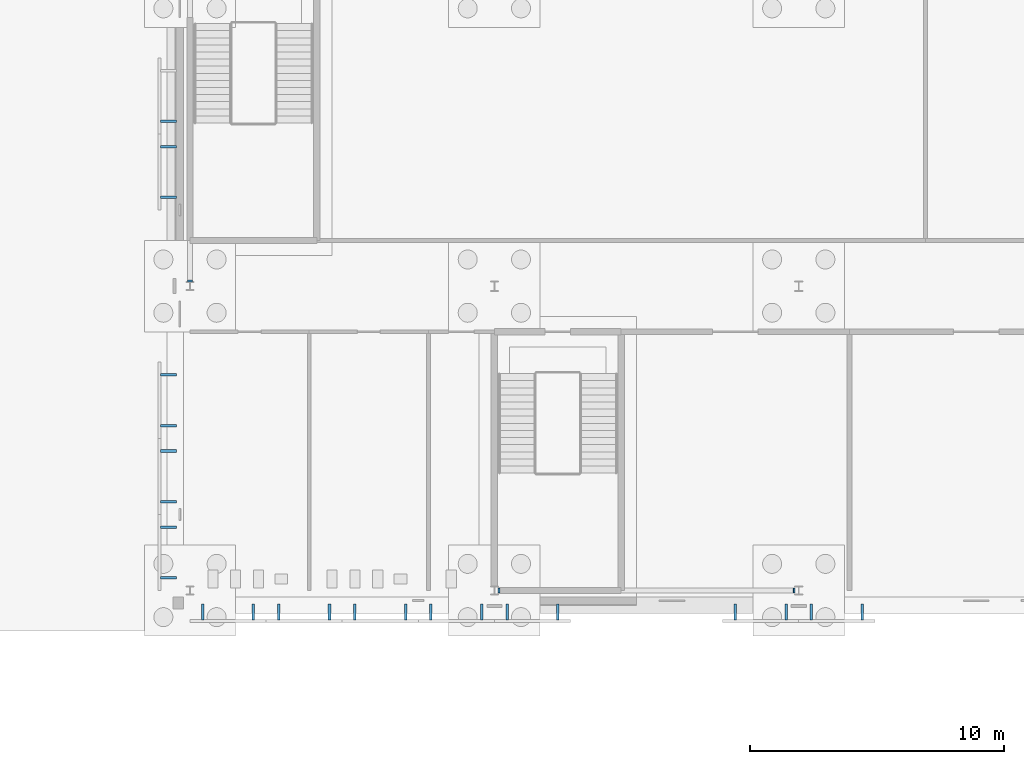
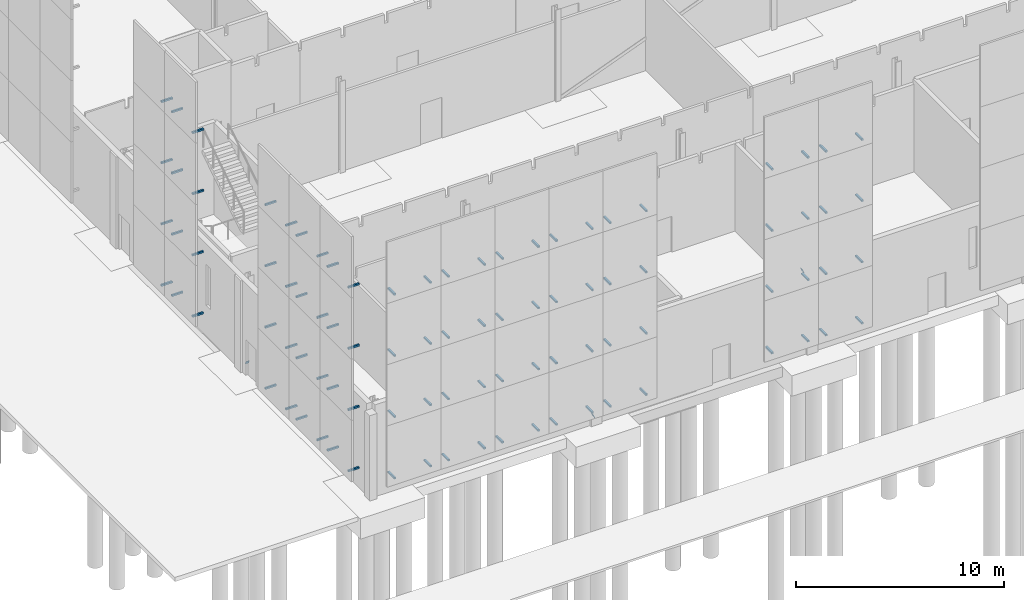
# One storey, part 97 of 132: 95 discrete accessories.
"""IFC4 building model written with IfcOpenShell, lengths in metres."""

from ifc_helpers import new_model, si_unit, direction, frame, origin, origin_2d, place, context, subcontext, project, spatial, rectangle, extrude, material, material_profile, profile_set, type_object, element, save


model = new_model("IFC4")

# Units and contexts
model_context = context("Model", 3, precision=1e-05, world=origin(), true_north=direction((0.0, 1.0)))
body_context = subcontext(model_context, "Body", "Model", "MODEL_VIEW")
ifc_project = project(units=[si_unit("LENGTHUNIT", "METRE"), si_unit("AREAUNIT", "SQUARE_METRE"), si_unit("VOLUMEUNIT", "CUBIC_METRE"), si_unit("PLANEANGLEUNIT", "RADIAN"), si_unit("MASSUNIT", "GRAM", prefix="KILO")], contexts=[model_context])

# Site, building, storey
site_placement = place(None, origin())
site = spatial("IfcSite", under=ifc_project, at=site_placement, CompositionType="ELEMENT")
building_placement = place(site_placement, origin())
building = spatial("IfcBuilding", under=site, at=building_placement, Name="Ravi Spectrum Wholesale Market", CompositionType="ELEMENT")
storey_placement = place(building_placement, origin())
storey = spatial("IfcBuildingStorey", under=building, at=storey_placement, Name="L00", CompositionType="ELEMENT", Elevation=0.0)

# Discrete accessories
ifc_material_1 = material(Name="Steel S355", Category="steel")
ifc_material_profile = material_profile(ifc_material_1, rectangle(XDim=0.199951171875, YDim=0.199951171875, at=origin_2d()))
ifc_profile_set = profile_set([ifc_material_profile], Name="Steel S355")
discrete_accessory_type_1 = type_object("IfcDiscreteAccessoryType", Name="End plate SHS 200x200x8", PredefinedType="BRACKET", material=ifc_profile_set)
for number, where, z_axis, x_axis, name in (
    (1, (210.185791015625, 18.0, 0.09326171875), (-0.937994498829, 0.0, -0.346650140872), (0.0, -1.0, 0.0), "End plate"),
    (2, (221.814208984375, 18.0, 4.556640625), (0.931242779706, 0.0, 0.364399348581), (0.0, 1.0, 0.0), "End plate"),
    (3, (198.0, 30.206298828125, 0.09326171875), (0.0, -0.931242779706, -0.364399348581), (1.0, 0.0, 0.0), "End plate"),
):
    element("IfcDiscreteAccessory", number, at=place(storey_placement, frame(where, z_axis=z_axis, x_axis=x_axis)), inside=storey, type_object=discrete_accessory_type_1, Name=name, PredefinedType="BRACKET", context=body_context, shape_type="SweptSolid", body=[
        extrude(rectangle(XDim=0.199951171875, YDim=0.199951171875, at=origin_2d()), origin(), (0.0, 0.0, 1.0), 0.011962890625),
    ])
ifc_material_2 = material(Name="Steel S355", Category="steel")
discrete_accessory_type_2 = type_object("IfcDiscreteAccessoryType", Name="Steel angle bracket 100 x 115", PredefinedType="BRACKET", material=ifc_material_2)
for number, where, z_axis, x_axis, name in (
    (4, (198.5, 17.14990234375, 1.14990234375), (0.0, 0.0, 1.0), (1.0, 0.0, 0.0), "Screen bracket"),
    (5, (200.5, 17.14990234375, 1.14990234375), (0.0, 0.0, 1.0), (1.0, 0.0, 0.0), "Screen bracket"),
    (6, (198.5, 17.14990234375, 4.75), (0.0, 0.0, 1.0), (1.0, 0.0, 0.0), "Screen bracket"),
    (7, (200.5, 17.14990234375, 4.75), (0.0, 0.0, 1.0), (1.0, 0.0, 0.0), "Screen bracket"),
    (8, (198.5, 17.14990234375, 8.349853515625), (0.0, 0.0, 1.0), (1.0, 0.0, 0.0), "Screen bracket"),
    (9, (200.5, 17.14990234375, 8.349853515625), (0.0, 0.0, 1.0), (1.0, 0.0, 0.0), "Screen bracket"),
    (10, (198.5, 17.14990234375, 11.949951171875), (0.0, 0.0, 1.0), (1.0, 0.0, 0.0), "Screen bracket"),
    (11, (200.5, 17.14990234375, 11.949951171875), (0.0, 0.0, 1.0), (1.0, 0.0, 0.0), "Screen bracket"),
    (12, (201.5, 17.14990234375, 1.14990234375), (0.0, 0.0, 1.0), (1.0, 0.0, 0.0), "Screen bracket"),
    (13, (203.5, 17.14990234375, 1.14990234375), (0.0, 0.0, 1.0), (1.0, 0.0, 0.0), "Screen bracket"),
    (14, (201.5, 17.14990234375, 4.75), (0.0, 0.0, 1.0), (1.0, 0.0, 0.0), "Screen bracket"),
    (15, (203.5, 17.14990234375, 4.75), (0.0, 0.0, 1.0), (1.0, 0.0, 0.0), "Screen bracket"),
    (16, (201.5, 17.14990234375, 8.349853515625), (0.0, 0.0, 1.0), (1.0, 0.0, 0.0), "Screen bracket"),
    (17, (203.5, 17.14990234375, 8.349853515625), (0.0, 0.0, 1.0), (1.0, 0.0, 0.0), "Screen bracket"),
    (18, (201.5, 17.14990234375, 11.949951171875), (0.0, 0.0, 1.0), (1.0, 0.0, 0.0), "Screen bracket"),
    (19, (203.5, 17.14990234375, 11.949951171875), (0.0, 0.0, 1.0), (1.0, 0.0, 0.0), "Screen bracket"),
    (20, (204.5, 17.14990234375, 1.14990234375), (0.0, 0.0, 1.0), (1.0, 0.0, 0.0), "Screen bracket"),
    (21, (206.5, 17.14990234375, 1.14990234375), (0.0, 0.0, 1.0), (1.0, 0.0, 0.0), "Screen bracket"),
    (22, (204.5, 17.14990234375, 4.75), (0.0, 0.0, 1.0), (1.0, 0.0, 0.0), "Screen bracket"),
    (23, (206.5, 17.14990234375, 4.75), (0.0, 0.0, 1.0), (1.0, 0.0, 0.0), "Screen bracket"),
    (24, (204.5, 17.14990234375, 8.349853515625), (0.0, 0.0, 1.0), (1.0, 0.0, 0.0), "Screen bracket"),
    (25, (206.5, 17.14990234375, 8.349853515625), (0.0, 0.0, 1.0), (1.0, 0.0, 0.0), "Screen bracket"),
    (26, (204.5, 17.14990234375, 11.949951171875), (0.0, 0.0, 1.0), (1.0, 0.0, 0.0), "Screen bracket"),
    (27, (206.5, 17.14990234375, 11.949951171875), (0.0, 0.0, 1.0), (1.0, 0.0, 0.0), "Screen bracket"),
    (28, (207.5, 17.14990234375, 1.14990234375), (0.0, 0.0, 1.0), (1.0, 0.0, 0.0), "Screen bracket"),
    (29, (209.5, 17.14990234375, 1.14990234375), (0.0, 0.0, 1.0), (1.0, 0.0, 0.0), "Screen bracket"),
    (30, (207.5, 17.14990234375, 4.75), (0.0, 0.0, 1.0), (1.0, 0.0, 0.0), "Screen bracket"),
    (31, (209.5, 17.14990234375, 4.75), (0.0, 0.0, 1.0), (1.0, 0.0, 0.0), "Screen bracket"),
    (32, (207.5, 17.14990234375, 8.349853515625), (0.0, 0.0, 1.0), (1.0, 0.0, 0.0), "Screen bracket"),
    (33, (209.5, 17.14990234375, 8.349853515625), (0.0, 0.0, 1.0), (1.0, 0.0, 0.0), "Screen bracket"),
    (34, (207.5, 17.14990234375, 11.949951171875), (0.0, 0.0, 1.0), (1.0, 0.0, 0.0), "Screen bracket"),
    (35, (209.5, 17.14990234375, 11.949951171875), (0.0, 0.0, 1.0), (1.0, 0.0, 0.0), "Screen bracket"),
    (36, (210.5, 17.14990234375, 1.14990234375), (0.0, 0.0, 1.0), (1.0, 0.0, 0.0), "Screen bracket"),
    (37, (212.5, 17.14990234375, 1.14990234375), (0.0, 0.0, 1.0), (1.0, 0.0, 0.0), "Screen bracket"),
    (38, (210.5, 17.14990234375, 4.75), (0.0, 0.0, 1.0), (1.0, 0.0, 0.0), "Screen bracket"),
    (39, (212.5, 17.14990234375, 4.75), (0.0, 0.0, 1.0), (1.0, 0.0, 0.0), "Screen bracket"),
    (40, (210.5, 17.14990234375, 8.349853515625), (0.0, 0.0, 1.0), (1.0, 0.0, 0.0), "Screen bracket"),
    (41, (212.5, 17.14990234375, 8.349853515625), (0.0, 0.0, 1.0), (1.0, 0.0, 0.0), "Screen bracket"),
    (42, (210.5, 17.14990234375, 11.949951171875), (0.0, 0.0, 1.0), (1.0, 0.0, 0.0), "Screen bracket"),
    (43, (212.5, 17.14990234375, 11.949951171875), (0.0, 0.0, 1.0), (1.0, 0.0, 0.0), "Screen bracket"),
    (44, (219.5, 17.14990234375, 1.14990234375), (0.0, 0.0, 1.0), (1.0, 0.0, 0.0), "Screen bracket"),
    (45, (221.5, 17.14990234375, 1.14990234375), (0.0, 0.0, 1.0), (1.0, 0.0, 0.0), "Screen bracket"),
    (46, (219.5, 17.14990234375, 4.75), (0.0, 0.0, 1.0), (1.0, 0.0, 0.0), "Screen bracket"),
    (47, (221.5, 17.14990234375, 4.75), (0.0, 0.0, 1.0), (1.0, 0.0, 0.0), "Screen bracket"),
    (48, (219.5, 17.14990234375, 8.349853515625), (0.0, 0.0, 1.0), (1.0, 0.0, 0.0), "Screen bracket"),
    (49, (221.5, 17.14990234375, 8.349853515625), (0.0, 0.0, 1.0), (1.0, 0.0, 0.0), "Screen bracket"),
    (50, (219.5, 17.14990234375, 11.949951171875), (0.0, 0.0, 1.0), (1.0, 0.0, 0.0), "Screen bracket"),
    (51, (221.5, 17.14990234375, 11.949951171875), (0.0, 0.0, 1.0), (1.0, 0.0, 0.0), "Screen bracket"),
    (52, (222.5, 17.14990234375, 1.14990234375), (0.0, 0.0, 1.0), (1.0, 0.0, 0.0), "Screen bracket"),
    (53, (224.5, 17.14990234375, 1.14990234375), (0.0, 0.0, 1.0), (1.0, 0.0, 0.0), "Screen bracket"),
    (54, (222.5, 17.14990234375, 4.75), (0.0, 0.0, 1.0), (1.0, 0.0, 0.0), "Screen bracket"),
    (55, (224.5, 17.14990234375, 4.75), (0.0, 0.0, 1.0), (1.0, 0.0, 0.0), "Screen bracket"),
    (56, (222.5, 17.14990234375, 8.349853515625), (0.0, 0.0, 1.0), (1.0, 0.0, 0.0), "Screen bracket"),
    (57, (224.5, 17.14990234375, 8.349853515625), (0.0, 0.0, 1.0), (1.0, 0.0, 0.0), "Screen bracket"),
    (58, (222.5, 17.14990234375, 11.949951171875), (0.0, 0.0, 1.0), (1.0, 0.0, 0.0), "Screen bracket"),
    (59, (224.5, 17.14990234375, 11.949951171875), (0.0, 0.0, 1.0), (1.0, 0.0, 0.0), "Screen bracket"),
):
    element("IfcDiscreteAccessory", number, at=place(storey_placement, frame(where, z_axis=z_axis, x_axis=x_axis)), inside=storey, type_object=discrete_accessory_type_2, Name=name, PredefinedType="BRACKET", context=body_context, shape_type="SweptSolid", body=[
        extrude(rectangle(XDim=0.10009765625, YDim=0.6201171875, at=origin_2d()), origin(), (0.0, 0.0, 1.0), 0.10009765625),
    ])
for number, where, z_axis, x_axis, name in (
    (60, (197.14990234375, 18.5, 1.14990234375), (0.0, 0.0, 1.0), (1.0, 0.0, 0.0), "Screen bracket"),
    (61, (197.14990234375, 20.5, 1.14990234375), (0.0, 0.0, 1.0), (1.0, 0.0, 0.0), "Screen bracket"),
    (62, (197.14990234375, 18.5, 4.75), (0.0, 0.0, 1.0), (1.0, 0.0, 0.0), "Screen bracket"),
    (63, (197.14990234375, 20.5, 4.75), (0.0, 0.0, 1.0), (1.0, 0.0, 0.0), "Screen bracket"),
    (64, (197.14990234375, 18.5, 8.349853515625), (0.0, 0.0, 1.0), (1.0, 0.0, 0.0), "Screen bracket"),
    (65, (197.14990234375, 20.5, 8.349853515625), (0.0, 0.0, 1.0), (1.0, 0.0, 0.0), "Screen bracket"),
    (66, (197.14990234375, 18.5, 11.949951171875), (0.0, 0.0, 1.0), (1.0, 0.0, 0.0), "Screen bracket"),
    (67, (197.14990234375, 20.5, 11.949951171875), (0.0, 0.0, 1.0), (1.0, 0.0, 0.0), "Screen bracket"),
    (68, (197.14990234375, 21.5, 1.14990234375), (0.0, 0.0, 1.0), (1.0, 0.0, 0.0), "Screen bracket"),
    (69, (197.14990234375, 23.5, 1.14990234375), (0.0, 0.0, 1.0), (1.0, 0.0, 0.0), "Screen bracket"),
    (70, (197.14990234375, 21.5, 4.75), (0.0, 0.0, 1.0), (1.0, 0.0, 0.0), "Screen bracket"),
    (71, (197.14990234375, 23.5, 4.75), (0.0, 0.0, 1.0), (1.0, 0.0, 0.0), "Screen bracket"),
    (72, (197.14990234375, 21.5, 8.349853515625), (0.0, 0.0, 1.0), (1.0, 0.0, 0.0), "Screen bracket"),
    (73, (197.14990234375, 23.5, 8.349853515625), (0.0, 0.0, 1.0), (1.0, 0.0, 0.0), "Screen bracket"),
    (74, (197.14990234375, 21.5, 11.949951171875), (0.0, 0.0, 1.0), (1.0, 0.0, 0.0), "Screen bracket"),
    (75, (197.14990234375, 23.5, 11.949951171875), (0.0, 0.0, 1.0), (1.0, 0.0, 0.0), "Screen bracket"),
    (76, (197.14990234375, 24.5, 1.14990234375), (0.0, 0.0, 1.0), (1.0, 0.0, 0.0), "Screen bracket"),
    (77, (197.14990234375, 26.5, 1.14990234375), (0.0, 0.0, 1.0), (1.0, 0.0, 0.0), "Screen bracket"),
    (78, (197.14990234375, 24.5, 4.75), (0.0, 0.0, 1.0), (1.0, 0.0, 0.0), "Screen bracket"),
    (79, (197.14990234375, 26.5, 4.75), (0.0, 0.0, 1.0), (1.0, 0.0, 0.0), "Screen bracket"),
    (80, (197.14990234375, 24.5, 8.349853515625), (0.0, 0.0, 1.0), (1.0, 0.0, 0.0), "Screen bracket"),
    (81, (197.14990234375, 26.5, 8.349853515625), (0.0, 0.0, 1.0), (1.0, 0.0, 0.0), "Screen bracket"),
    (82, (197.14990234375, 24.5, 11.949951171875), (0.0, 0.0, 1.0), (1.0, 0.0, 0.0), "Screen bracket"),
    (83, (197.14990234375, 26.5, 11.949951171875), (0.0, 0.0, 1.0), (1.0, 0.0, 0.0), "Screen bracket"),
    (84, (197.14990234375, 33.5, 1.14990234375), (0.0, 0.0, 1.0), (1.0, 0.0, 0.0), "Screen bracket"),
    (85, (197.14990234375, 35.5, 1.14990234375), (0.0, 0.0, 1.0), (1.0, 0.0, 0.0), "Screen bracket"),
    (86, (197.14990234375, 33.5, 4.75), (0.0, 0.0, 1.0), (1.0, 0.0, 0.0), "Screen bracket"),
    (87, (197.14990234375, 35.5, 4.75), (0.0, 0.0, 1.0), (1.0, 0.0, 0.0), "Screen bracket"),
    (88, (197.14990234375, 33.5, 8.349853515625), (0.0, 0.0, 1.0), (1.0, 0.0, 0.0), "Screen bracket"),
    (89, (197.14990234375, 35.5, 8.349853515625), (0.0, 0.0, 1.0), (1.0, 0.0, 0.0), "Screen bracket"),
    (90, (197.14990234375, 33.5, 11.949951171875), (0.0, 0.0, 1.0), (1.0, 0.0, 0.0), "Screen bracket"),
    (91, (197.14990234375, 35.5, 11.949951171875), (0.0, 0.0, 1.0), (1.0, 0.0, 0.0), "Screen bracket"),
    (92, (197.14990234375, 36.5, 1.14990234375), (0.0, 0.0, 1.0), (1.0, 0.0, 0.0), "Screen bracket"),
    (93, (197.14990234375, 36.5, 4.75), (0.0, 0.0, 1.0), (1.0, 0.0, 0.0), "Screen bracket"),
    (94, (197.14990234375, 36.5, 8.349853515625), (0.0, 0.0, 1.0), (1.0, 0.0, 0.0), "Screen bracket"),
    (95, (197.14990234375, 36.5, 11.949951171875), (0.0, 0.0, 1.0), (1.0, 0.0, 0.0), "Screen bracket"),
):
    element("IfcDiscreteAccessory", number, at=place(storey_placement, frame(where, z_axis=z_axis, x_axis=x_axis)), inside=storey, type_object=discrete_accessory_type_2, Name=name, PredefinedType="BRACKET", context=body_context, shape_type="SweptSolid", body=[
        extrude(rectangle(XDim=0.6201171875, YDim=0.10009765625, at=origin_2d()), origin(), (0.0, 0.0, 1.0), 0.10009765625),
    ])

save(model, "model.ifc")
